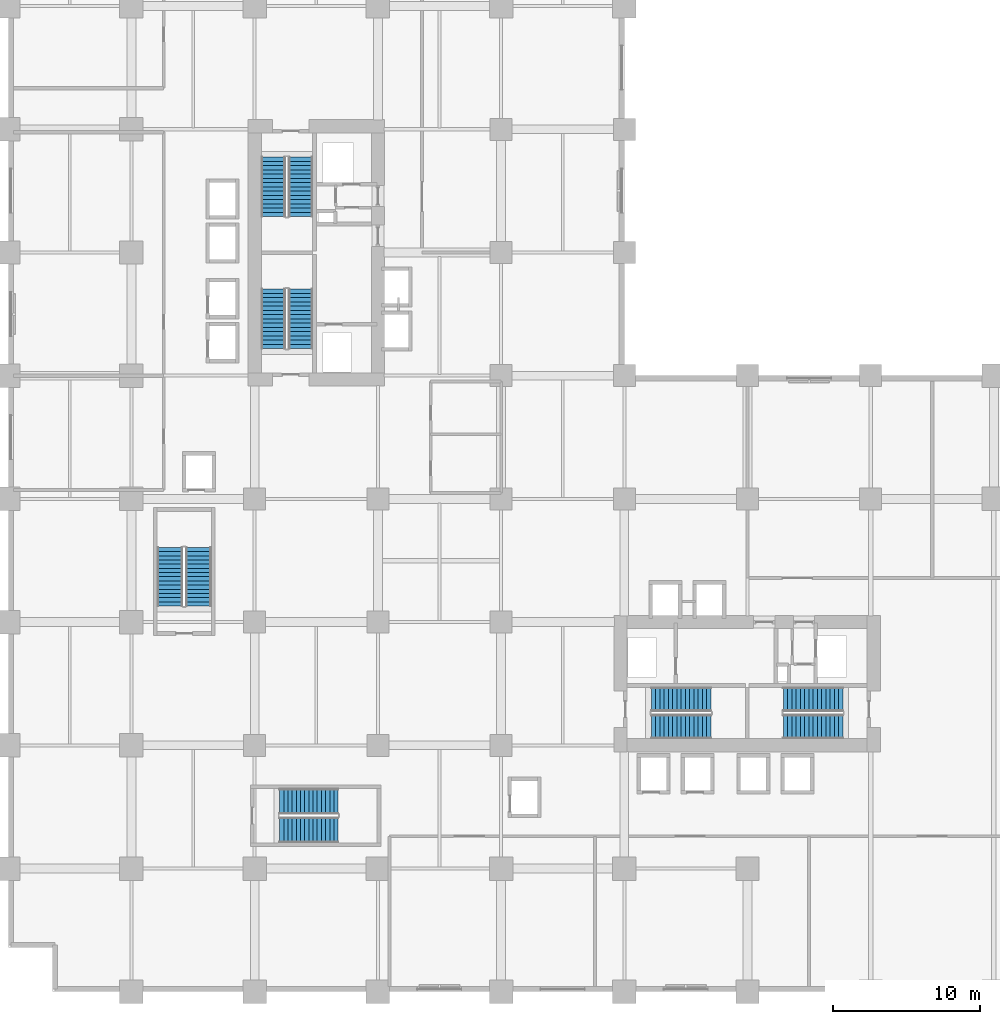
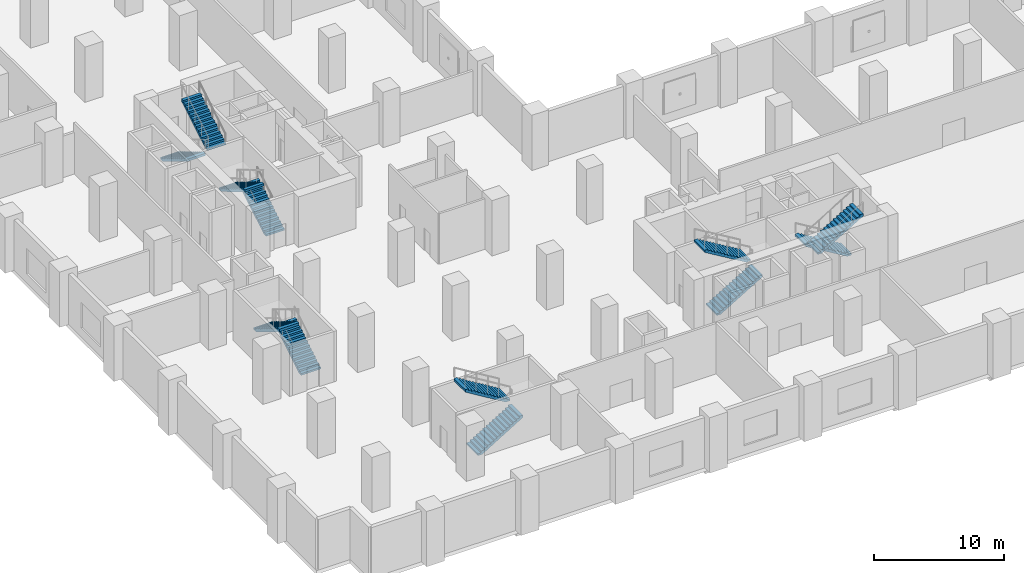
# One storey, part 15 of 23: 12 stair flights, 6 elements without a shape of their own.
"""IFC4 building model written with IfcOpenShell, lengths in metres."""

from ifc_helpers import new_model, si_unit, direction, frame, origin, place, context, subcontext, project, spatial, polyline, outline, extrude, material, type_object, element, aggregate, save


model = new_model("IFC4")

# Units and contexts
model_context = context("Model", 3, precision=1e-05, world=origin(), true_north=direction((0.0, 1.0)))
body_context = subcontext(model_context, "Body", "Model", "MODEL_VIEW")
ifc_project = project(units=[si_unit("LENGTHUNIT", "METRE"), si_unit("AREAUNIT", "SQUARE_METRE"), si_unit("VOLUMEUNIT", "CUBIC_METRE"), si_unit("PLANEANGLEUNIT", "RADIAN"), si_unit("MASSUNIT", "GRAM", prefix="KILO")], contexts=[model_context])

# Site, building, storey
site_placement = place(None, origin())
site = spatial("IfcSite", under=ifc_project, at=site_placement, CompositionType="ELEMENT")
building_placement = place(site_placement, origin())
building = spatial("IfcBuilding", under=site, at=building_placement, Name="Koriwani Terraces Tower", CompositionType="ELEMENT")
storey_placement = place(building_placement, frame((0.0, 0.0, 20.800048828125)))
storey = spatial("IfcBuildingStorey", under=building, at=storey_placement, Name="L04", CompositionType="ELEMENT", Elevation=20.800048828125)

# Stair, stair flights
ifc_material = material(Name="Concrete C40/50", Category="concrete")
stair_type_1 = type_object("IfcStairType", Name="STAIR_PODIUM_DOGLEG_1750", PredefinedType="TWO_STRAIGHT_RUN_STAIR", material=ifc_material)
stair_1_placement = place(storey_placement, origin())
stair_1 = element("IfcStair", 1, at=stair_1_placement, inside=storey, type_object=stair_type_1, Name="L04 Podium West Exit Stair", PredefinedType="HALF_TURN_STAIR")
stair_flight_type_1 = type_object("IfcStairFlightType", Name="STAIR_FLIGHT_POD_1750", PredefinedType="STRAIGHT", material=ifc_material)
stair_flight_1_placement = place(storey_placement, frame((12.97509765625, 26.300048828125, 0.0), z_axis=(0.0, 0.0, 1.0), x_axis=(0.0, 1.0, 0.0)))
stair_flight_1 = element("IfcStairFlight", 2, at=stair_flight_1_placement, type_object=stair_flight_type_1, Name="ST-P1 flight 1", NumberOfRisers=15, NumberOfTreads=14, PredefinedType="STRAIGHT", RiserHeight=0.173333333, TreadLength=0.285, context=body_context, shape_type="SweptSolid", body=[
    extrude(outline(polyline([(0.0, 0.0), (0.0, 0.17333984375), (0.284912109375, 0.17333984375), (0.284912109375, 0.3466796875), (0.570068359375, 0.3466796875), (0.570068359375, 0.52001953125), (0.85498046875, 0.52001953125), (0.85498046875, 0.693359375), (1.139892578125, 0.693359375), (1.139892578125, 0.86669921875), (1.425048828125, 0.86669921875), (1.425048828125, 1.0400390625), (1.7099609375, 1.0400390625), (1.7099609375, 1.21337890625), (1.9951171875, 1.21337890625), (1.9951171875, 1.38671875), (2.280029296875, 1.38671875), (2.280029296875, 1.56005859375), (2.56494140625, 1.56005859375), (2.56494140625, 1.7333984375), (2.85009765625, 1.7333984375), (2.85009765625, 1.90673828125), (3.135009765625, 1.90673828125), (3.135009765625, 2.080078125), (3.419921875, 2.080078125), (3.419921875, 2.25341796875), (3.705078125, 2.25341796875), (3.705078125, 2.4267578125), (3.989990234375, 2.4267578125), (3.989990234375, 2.60009765625), (3.989990234375, 2.192626953125), (0.384765625, 0.0), (0.0, 0.0)])), frame((0.0, 0.875, 0.0), z_axis=(0.0, -1.0, 0.0), x_axis=(1.0, 0.0, 0.0)), (0.0, 0.0, 1.0), 1.75),
])
stair_flight_2_placement = place(storey_placement, frame((11.02490234375, 30.2900390625, 2.599853515625), z_axis=(0.0, 0.0, 1.0), x_axis=(0.0, -1.0, 0.0)))
stair_flight_2 = element("IfcStairFlight", 3, at=stair_flight_2_placement, type_object=stair_flight_type_1, Name="ST-P1 flight 2", NumberOfRisers=15, NumberOfTreads=14, PredefinedType="STRAIGHT", RiserHeight=0.173333333, TreadLength=0.285, context=body_context, shape_type="SweptSolid", body=[
    extrude(outline(polyline([(0.0, 0.0), (0.0, 0.17333984375), (0.284912109375, 0.17333984375), (0.284912109375, 0.3466796875), (0.570068359375, 0.3466796875), (0.570068359375, 0.52001953125), (0.85498046875, 0.52001953125), (0.85498046875, 0.693359375), (1.139892578125, 0.693359375), (1.139892578125, 0.86669921875), (1.425048828125, 0.86669921875), (1.425048828125, 1.0400390625), (1.7099609375, 1.0400390625), (1.7099609375, 1.21337890625), (1.9951171875, 1.21337890625), (1.9951171875, 1.38671875), (2.280029296875, 1.38671875), (2.280029296875, 1.56005859375), (2.56494140625, 1.56005859375), (2.56494140625, 1.7333984375), (2.85009765625, 1.7333984375), (2.85009765625, 1.90673828125), (3.135009765625, 1.90673828125), (3.135009765625, 2.080078125), (3.419921875, 2.080078125), (3.419921875, 2.25341796875), (3.705078125, 2.25341796875), (3.705078125, 2.4267578125), (3.989990234375, 2.4267578125), (3.989990234375, 2.60009765625), (3.989990234375, 2.192626953125), (0.384765625, 0.0), (0.0, 0.0)])), frame((0.0, 0.875, 0.0), z_axis=(0.0, -1.0, 0.0), x_axis=(1.0, 0.0, 0.0)), (0.0, 0.0, 1.0), 1.75),
])
aggregate(stair_1, [stair_flight_1, stair_flight_2])

stair_2_placement = place(storey_placement, origin())
stair_2 = element("IfcStair", 4, at=stair_2_placement, inside=storey, type_object=stair_type_1, Name="L04 Podium South Exit Stair", PredefinedType="HALF_TURN_STAIR")
stair_flight_3_placement = place(storey_placement, frame((18.5, 11.02490234375, 0.0), z_axis=(0.0, 0.0, 1.0), x_axis=(1.0, 0.0, 0.0)))
stair_flight_3 = element("IfcStairFlight", 5, at=stair_flight_3_placement, type_object=stair_flight_type_1, Name="ST-P2 flight 1", NumberOfRisers=15, NumberOfTreads=14, PredefinedType="STRAIGHT", RiserHeight=0.173333333, TreadLength=0.285, context=body_context, shape_type="SweptSolid", body=[
    extrude(outline(polyline([(0.0, 0.0), (0.0, 0.17333984375), (0.284912109375, 0.17333984375), (0.284912109375, 0.3466796875), (0.570068359375, 0.3466796875), (0.570068359375, 0.52001953125), (0.85498046875, 0.52001953125), (0.85498046875, 0.693359375), (1.139892578125, 0.693359375), (1.139892578125, 0.86669921875), (1.425048828125, 0.86669921875), (1.425048828125, 1.0400390625), (1.7099609375, 1.0400390625), (1.7099609375, 1.21337890625), (1.9951171875, 1.21337890625), (1.9951171875, 1.38671875), (2.280029296875, 1.38671875), (2.280029296875, 1.56005859375), (2.56494140625, 1.56005859375), (2.56494140625, 1.7333984375), (2.85009765625, 1.7333984375), (2.85009765625, 1.90673828125), (3.135009765625, 1.90673828125), (3.135009765625, 2.080078125), (3.419921875, 2.080078125), (3.419921875, 2.25341796875), (3.705078125, 2.25341796875), (3.705078125, 2.4267578125), (3.989990234375, 2.4267578125), (3.989990234375, 2.60009765625), (3.989990234375, 2.192626953125), (0.384765625, 0.0), (0.0, 0.0)])), frame((0.0, 0.875, 0.0), z_axis=(0.0, -1.0, 0.0), x_axis=(1.0, 0.0, 0.0)), (0.0, 0.0, 1.0), 1.75),
])
stair_flight_4_placement = place(storey_placement, frame((22.489990234375, 12.97509765625, 2.599853515625), z_axis=(0.0, 0.0, 1.0), x_axis=(-1.0, 0.0, 0.0)))
stair_flight_4 = element("IfcStairFlight", 6, at=stair_flight_4_placement, type_object=stair_flight_type_1, Name="ST-P2 flight 2", NumberOfRisers=15, NumberOfTreads=14, PredefinedType="STRAIGHT", RiserHeight=0.173333333, TreadLength=0.285, context=body_context, shape_type="SweptSolid", body=[
    extrude(outline(polyline([(0.0, 0.0), (0.0, 0.17333984375), (0.284912109375, 0.17333984375), (0.284912109375, 0.3466796875), (0.570068359375, 0.3466796875), (0.570068359375, 0.52001953125), (0.85498046875, 0.52001953125), (0.85498046875, 0.693359375), (1.139892578125, 0.693359375), (1.139892578125, 0.86669921875), (1.425048828125, 0.86669921875), (1.425048828125, 1.0400390625), (1.7099609375, 1.0400390625), (1.7099609375, 1.21337890625), (1.9951171875, 1.21337890625), (1.9951171875, 1.38671875), (2.280029296875, 1.38671875), (2.280029296875, 1.56005859375), (2.56494140625, 1.56005859375), (2.56494140625, 1.7333984375), (2.85009765625, 1.7333984375), (2.85009765625, 1.90673828125), (3.135009765625, 1.90673828125), (3.135009765625, 2.080078125), (3.419921875, 2.080078125), (3.419921875, 2.25341796875), (3.705078125, 2.25341796875), (3.705078125, 2.4267578125), (3.989990234375, 2.4267578125), (3.989990234375, 2.60009765625), (3.989990234375, 2.192626953125), (0.384765625, 0.0), (0.0, 0.0)])), frame((0.0, 0.875, 0.0), z_axis=(0.0, -1.0, 0.0), x_axis=(1.0, 0.0, 0.0)), (0.0, 0.0, 1.0), 1.75),
])
aggregate(stair_2, [stair_flight_3, stair_flight_4])

stair_type_2 = type_object("IfcStairType", Name="STAIR_CORE_DOGLEG_1650", PredefinedType="TWO_STRAIGHT_RUN_STAIR", material=ifc_material)
stair_3_placement = place(storey_placement, origin())
stair_3 = element("IfcStair", 7, at=stair_3_placement, inside=storey, type_object=stair_type_2, Name="L04 West Core Exit Stair 1", PredefinedType="HALF_TURN_STAIR")
stair_flight_type_2 = type_object("IfcStairFlightType", Name="STAIR_FLIGHT_RC_1650", PredefinedType="STRAIGHT", material=ifc_material)
stair_flight_5_placement = place(storey_placement, frame((19.925048828125, 43.85009765625, 0.0), z_axis=(0.0, 0.0, 1.0), x_axis=(0.0, 1.0, 0.0)))
stair_flight_5 = element("IfcStairFlight", 8, at=stair_flight_5_placement, type_object=stair_flight_type_2, Name="ST-W1 flight 1", NumberOfRisers=15, NumberOfTreads=14, PredefinedType="STRAIGHT", RiserHeight=0.173333333, TreadLength=0.29, context=body_context, shape_type="SweptSolid", body=[
    extrude(outline(polyline([(0.0, 0.0), (0.0, 0.17333984375), (0.2900390625, 0.17333984375), (0.2900390625, 0.3466796875), (0.580078125, 0.3466796875), (0.580078125, 0.52001953125), (0.8701171875, 0.52001953125), (0.8701171875, 0.693359375), (1.159912109375, 0.693359375), (1.159912109375, 0.86669921875), (1.449951171875, 0.86669921875), (1.449951171875, 1.0400390625), (1.739990234375, 1.0400390625), (1.739990234375, 1.21337890625), (2.030029296875, 1.21337890625), (2.030029296875, 1.38671875), (2.320068359375, 1.38671875), (2.320068359375, 1.56005859375), (2.610107421875, 1.56005859375), (2.610107421875, 1.7333984375), (2.89990234375, 1.7333984375), (2.89990234375, 1.90673828125), (3.18994140625, 1.90673828125), (3.18994140625, 2.080078125), (3.47998046875, 2.080078125), (3.47998046875, 2.25341796875), (3.77001953125, 2.25341796875), (3.77001953125, 2.4267578125), (4.06005859375, 2.4267578125), (4.06005859375, 2.60009765625), (4.06005859375, 2.217041015625), (0.350830078125, 0.0), (0.0, 0.0)])), frame((0.0, 0.824951171875, 0.0), z_axis=(0.0, -1.0, 0.0), x_axis=(1.0, 0.0, 0.0)), (0.0, 0.0, 1.0), 1.64990234375),
])
stair_flight_6_placement = place(storey_placement, frame((18.074951171875, 47.909912109375, 2.599853515625), z_axis=(0.0, 0.0, 1.0), x_axis=(0.0, -1.0, 0.0)))
stair_flight_6 = element("IfcStairFlight", 9, at=stair_flight_6_placement, type_object=stair_flight_type_2, Name="ST-W1 flight 2", NumberOfRisers=15, NumberOfTreads=14, PredefinedType="STRAIGHT", RiserHeight=0.173333333, TreadLength=0.29, context=body_context, shape_type="SweptSolid", body=[
    extrude(outline(polyline([(0.0, 0.0), (0.0, 0.17333984375), (0.2900390625, 0.17333984375), (0.2900390625, 0.3466796875), (0.580078125, 0.3466796875), (0.580078125, 0.52001953125), (0.8701171875, 0.52001953125), (0.8701171875, 0.693359375), (1.159912109375, 0.693359375), (1.159912109375, 0.86669921875), (1.449951171875, 0.86669921875), (1.449951171875, 1.0400390625), (1.739990234375, 1.0400390625), (1.739990234375, 1.21337890625), (2.030029296875, 1.21337890625), (2.030029296875, 1.38671875), (2.320068359375, 1.38671875), (2.320068359375, 1.56005859375), (2.610107421875, 1.56005859375), (2.610107421875, 1.7333984375), (2.89990234375, 1.7333984375), (2.89990234375, 1.90673828125), (3.18994140625, 1.90673828125), (3.18994140625, 2.080078125), (3.47998046875, 2.080078125), (3.47998046875, 2.25341796875), (3.77001953125, 2.25341796875), (3.77001953125, 2.4267578125), (4.06005859375, 2.4267578125), (4.06005859375, 2.60009765625), (4.06005859375, 2.217041015625), (0.350830078125, 0.0), (0.0, 0.0)])), frame((0.0, 0.824951171875, 0.0), z_axis=(0.0, -1.0, 0.0), x_axis=(1.0, 0.0, 0.0)), (0.0, 0.0, 1.0), 1.64990234375),
])
aggregate(stair_3, [stair_flight_5, stair_flight_6])

stair_4_placement = place(storey_placement, origin())
stair_4 = element("IfcStair", 10, at=stair_4_placement, inside=storey, type_object=stair_type_2, Name="L04 West Core Exit Stair 2", PredefinedType="HALF_TURN_STAIR")
stair_flight_7_placement = place(storey_placement, frame((18.074951171875, 56.89990234375, 0.0), z_axis=(0.0, 0.0, 1.0), x_axis=(0.0, -1.0, 0.0)))
stair_flight_7 = element("IfcStairFlight", 11, at=stair_flight_7_placement, type_object=stair_flight_type_2, Name="ST-W2 flight 1", NumberOfRisers=15, NumberOfTreads=14, PredefinedType="STRAIGHT", RiserHeight=0.173333333, TreadLength=0.29, context=body_context, shape_type="SweptSolid", body=[
    extrude(outline(polyline([(0.0, 0.0), (0.0, 0.17333984375), (0.2900390625, 0.17333984375), (0.2900390625, 0.3466796875), (0.580078125, 0.3466796875), (0.580078125, 0.52001953125), (0.8701171875, 0.52001953125), (0.8701171875, 0.693359375), (1.159912109375, 0.693359375), (1.159912109375, 0.86669921875), (1.449951171875, 0.86669921875), (1.449951171875, 1.0400390625), (1.739990234375, 1.0400390625), (1.739990234375, 1.21337890625), (2.030029296875, 1.21337890625), (2.030029296875, 1.38671875), (2.320068359375, 1.38671875), (2.320068359375, 1.56005859375), (2.610107421875, 1.56005859375), (2.610107421875, 1.7333984375), (2.89990234375, 1.7333984375), (2.89990234375, 1.90673828125), (3.18994140625, 1.90673828125), (3.18994140625, 2.080078125), (3.47998046875, 2.080078125), (3.47998046875, 2.25341796875), (3.77001953125, 2.25341796875), (3.77001953125, 2.4267578125), (4.06005859375, 2.4267578125), (4.06005859375, 2.60009765625), (4.06005859375, 2.217041015625), (0.350830078125, 0.0), (0.0, 0.0)])), frame((0.0, 0.824951171875, 0.0), z_axis=(0.0, -1.0, 0.0), x_axis=(1.0, 0.0, 0.0)), (0.0, 0.0, 1.0), 1.64990234375),
])
stair_flight_8_placement = place(storey_placement, frame((19.925048828125, 52.840087890625, 2.599853515625), z_axis=(0.0, 0.0, 1.0), x_axis=(0.0, 1.0, 0.0)))
stair_flight_8 = element("IfcStairFlight", 12, at=stair_flight_8_placement, type_object=stair_flight_type_2, Name="ST-W2 flight 2", NumberOfRisers=15, NumberOfTreads=14, PredefinedType="STRAIGHT", RiserHeight=0.173333333, TreadLength=0.29, context=body_context, shape_type="SweptSolid", body=[
    extrude(outline(polyline([(0.0, 0.0), (0.0, 0.17333984375), (0.2900390625, 0.17333984375), (0.2900390625, 0.3466796875), (0.580078125, 0.3466796875), (0.580078125, 0.52001953125), (0.8701171875, 0.52001953125), (0.8701171875, 0.693359375), (1.159912109375, 0.693359375), (1.159912109375, 0.86669921875), (1.449951171875, 0.86669921875), (1.449951171875, 1.0400390625), (1.739990234375, 1.0400390625), (1.739990234375, 1.21337890625), (2.030029296875, 1.21337890625), (2.030029296875, 1.38671875), (2.320068359375, 1.38671875), (2.320068359375, 1.56005859375), (2.610107421875, 1.56005859375), (2.610107421875, 1.7333984375), (2.89990234375, 1.7333984375), (2.89990234375, 1.90673828125), (3.18994140625, 1.90673828125), (3.18994140625, 2.080078125), (3.47998046875, 2.080078125), (3.47998046875, 2.25341796875), (3.77001953125, 2.25341796875), (3.77001953125, 2.4267578125), (4.06005859375, 2.4267578125), (4.06005859375, 2.60009765625), (4.06005859375, 2.217041015625), (0.350830078125, 0.0), (0.0, 0.0)])), frame((0.0, 0.824951171875, 0.0), z_axis=(0.0, -1.0, 0.0), x_axis=(1.0, 0.0, 0.0)), (0.0, 0.0, 1.0), 1.64990234375),
])
aggregate(stair_4, [stair_flight_7, stair_flight_8])

stair_5_placement = place(storey_placement, origin())
stair_5 = element("IfcStair", 13, at=stair_5_placement, inside=storey, type_object=stair_type_2, Name="L04 East Core Exit Stair 1", PredefinedType="HALF_TURN_STAIR")
stair_flight_9_placement = place(storey_placement, frame((43.85009765625, 18.074951171875, 0.0), z_axis=(0.0, 0.0, 1.0), x_axis=(1.0, 0.0, 0.0)))
stair_flight_9 = element("IfcStairFlight", 14, at=stair_flight_9_placement, type_object=stair_flight_type_2, Name="ST-E1 flight 1", NumberOfRisers=15, NumberOfTreads=14, PredefinedType="STRAIGHT", RiserHeight=0.173333333, TreadLength=0.29, context=body_context, shape_type="SweptSolid", body=[
    extrude(outline(polyline([(0.0, 0.0), (0.0, 0.17333984375), (0.2900390625, 0.17333984375), (0.2900390625, 0.3466796875), (0.580078125, 0.3466796875), (0.580078125, 0.52001953125), (0.8701171875, 0.52001953125), (0.8701171875, 0.693359375), (1.159912109375, 0.693359375), (1.159912109375, 0.86669921875), (1.449951171875, 0.86669921875), (1.449951171875, 1.0400390625), (1.739990234375, 1.0400390625), (1.739990234375, 1.21337890625), (2.030029296875, 1.21337890625), (2.030029296875, 1.38671875), (2.320068359375, 1.38671875), (2.320068359375, 1.56005859375), (2.610107421875, 1.56005859375), (2.610107421875, 1.7333984375), (2.89990234375, 1.7333984375), (2.89990234375, 1.90673828125), (3.18994140625, 1.90673828125), (3.18994140625, 2.080078125), (3.47998046875, 2.080078125), (3.47998046875, 2.25341796875), (3.77001953125, 2.25341796875), (3.77001953125, 2.4267578125), (4.06005859375, 2.4267578125), (4.06005859375, 2.60009765625), (4.06005859375, 2.217041015625), (0.350830078125, 0.0), (0.0, 0.0)])), frame((0.0, 0.824951171875, 0.0), z_axis=(0.0, -1.0, 0.0), x_axis=(1.0, 0.0, 0.0)), (0.0, 0.0, 1.0), 1.64990234375),
])
stair_flight_10_placement = place(storey_placement, frame((47.909912109375, 19.925048828125, 2.599853515625), z_axis=(0.0, 0.0, 1.0), x_axis=(-1.0, 0.0, 0.0)))
stair_flight_10 = element("IfcStairFlight", 15, at=stair_flight_10_placement, type_object=stair_flight_type_2, Name="ST-E1 flight 2", NumberOfRisers=15, NumberOfTreads=14, PredefinedType="STRAIGHT", RiserHeight=0.173333333, TreadLength=0.29, context=body_context, shape_type="SweptSolid", body=[
    extrude(outline(polyline([(0.0, 0.0), (0.0, 0.17333984375), (0.2900390625, 0.17333984375), (0.2900390625, 0.3466796875), (0.580078125, 0.3466796875), (0.580078125, 0.52001953125), (0.8701171875, 0.52001953125), (0.8701171875, 0.693359375), (1.159912109375, 0.693359375), (1.159912109375, 0.86669921875), (1.449951171875, 0.86669921875), (1.449951171875, 1.0400390625), (1.739990234375, 1.0400390625), (1.739990234375, 1.21337890625), (2.030029296875, 1.21337890625), (2.030029296875, 1.38671875), (2.320068359375, 1.38671875), (2.320068359375, 1.56005859375), (2.610107421875, 1.56005859375), (2.610107421875, 1.7333984375), (2.89990234375, 1.7333984375), (2.89990234375, 1.90673828125), (3.18994140625, 1.90673828125), (3.18994140625, 2.080078125), (3.47998046875, 2.080078125), (3.47998046875, 2.25341796875), (3.77001953125, 2.25341796875), (3.77001953125, 2.4267578125), (4.06005859375, 2.4267578125), (4.06005859375, 2.60009765625), (4.06005859375, 2.217041015625), (0.350830078125, 0.0), (0.0, 0.0)])), frame((0.0, 0.824951171875, 0.0), z_axis=(0.0, -1.0, 0.0), x_axis=(1.0, 0.0, 0.0)), (0.0, 0.0, 1.0), 1.64990234375),
])
aggregate(stair_5, [stair_flight_9, stair_flight_10])

stair_6_placement = place(storey_placement, origin())
stair_6 = element("IfcStair", 16, at=stair_6_placement, inside=storey, type_object=stair_type_2, Name="L04 East Core Exit Stair 2", PredefinedType="HALF_TURN_STAIR")
stair_flight_11_placement = place(storey_placement, frame((56.89990234375, 19.925048828125, 0.0), z_axis=(0.0, 0.0, 1.0), x_axis=(-1.0, 0.0, 0.0)))
stair_flight_11 = element("IfcStairFlight", 17, at=stair_flight_11_placement, type_object=stair_flight_type_2, Name="ST-E2 flight 1", NumberOfRisers=15, NumberOfTreads=14, PredefinedType="STRAIGHT", RiserHeight=0.173333333, TreadLength=0.29, context=body_context, shape_type="SweptSolid", body=[
    extrude(outline(polyline([(0.0, 0.0), (0.0, 0.17333984375), (0.2900390625, 0.17333984375), (0.2900390625, 0.3466796875), (0.580078125, 0.3466796875), (0.580078125, 0.52001953125), (0.8701171875, 0.52001953125), (0.8701171875, 0.693359375), (1.159912109375, 0.693359375), (1.159912109375, 0.86669921875), (1.449951171875, 0.86669921875), (1.449951171875, 1.0400390625), (1.739990234375, 1.0400390625), (1.739990234375, 1.21337890625), (2.030029296875, 1.21337890625), (2.030029296875, 1.38671875), (2.320068359375, 1.38671875), (2.320068359375, 1.56005859375), (2.610107421875, 1.56005859375), (2.610107421875, 1.7333984375), (2.89990234375, 1.7333984375), (2.89990234375, 1.90673828125), (3.18994140625, 1.90673828125), (3.18994140625, 2.080078125), (3.47998046875, 2.080078125), (3.47998046875, 2.25341796875), (3.77001953125, 2.25341796875), (3.77001953125, 2.4267578125), (4.06005859375, 2.4267578125), (4.06005859375, 2.60009765625), (4.06005859375, 2.217041015625), (0.350830078125, 0.0), (0.0, 0.0)])), frame((0.0, 0.824951171875, 0.0), z_axis=(0.0, -1.0, 0.0), x_axis=(1.0, 0.0, 0.0)), (0.0, 0.0, 1.0), 1.64990234375),
])
stair_flight_12_placement = place(storey_placement, frame((52.840087890625, 18.074951171875, 2.599853515625), z_axis=(0.0, 0.0, 1.0), x_axis=(1.0, 0.0, 0.0)))
stair_flight_12 = element("IfcStairFlight", 18, at=stair_flight_12_placement, type_object=stair_flight_type_2, Name="ST-E2 flight 2", NumberOfRisers=15, NumberOfTreads=14, PredefinedType="STRAIGHT", RiserHeight=0.173333333, TreadLength=0.29, context=body_context, shape_type="SweptSolid", body=[
    extrude(outline(polyline([(0.0, 0.0), (0.0, 0.17333984375), (0.2900390625, 0.17333984375), (0.2900390625, 0.3466796875), (0.580078125, 0.3466796875), (0.580078125, 0.52001953125), (0.8701171875, 0.52001953125), (0.8701171875, 0.693359375), (1.159912109375, 0.693359375), (1.159912109375, 0.86669921875), (1.449951171875, 0.86669921875), (1.449951171875, 1.0400390625), (1.739990234375, 1.0400390625), (1.739990234375, 1.21337890625), (2.030029296875, 1.21337890625), (2.030029296875, 1.38671875), (2.320068359375, 1.38671875), (2.320068359375, 1.56005859375), (2.610107421875, 1.56005859375), (2.610107421875, 1.7333984375), (2.89990234375, 1.7333984375), (2.89990234375, 1.90673828125), (3.18994140625, 1.90673828125), (3.18994140625, 2.080078125), (3.47998046875, 2.080078125), (3.47998046875, 2.25341796875), (3.77001953125, 2.25341796875), (3.77001953125, 2.4267578125), (4.06005859375, 2.4267578125), (4.06005859375, 2.60009765625), (4.06005859375, 2.217041015625), (0.350830078125, 0.0), (0.0, 0.0)])), frame((0.0, 0.824951171875, 0.0), z_axis=(0.0, -1.0, 0.0), x_axis=(1.0, 0.0, 0.0)), (0.0, 0.0, 1.0), 1.64990234375),
])
aggregate(stair_6, [stair_flight_11, stair_flight_12])

save(model, "model.ifc")
